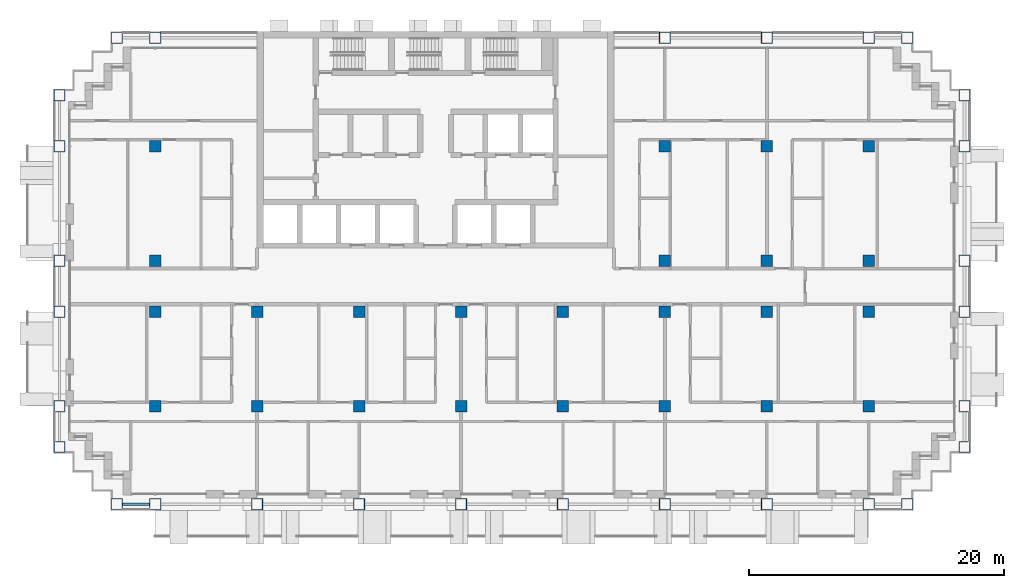
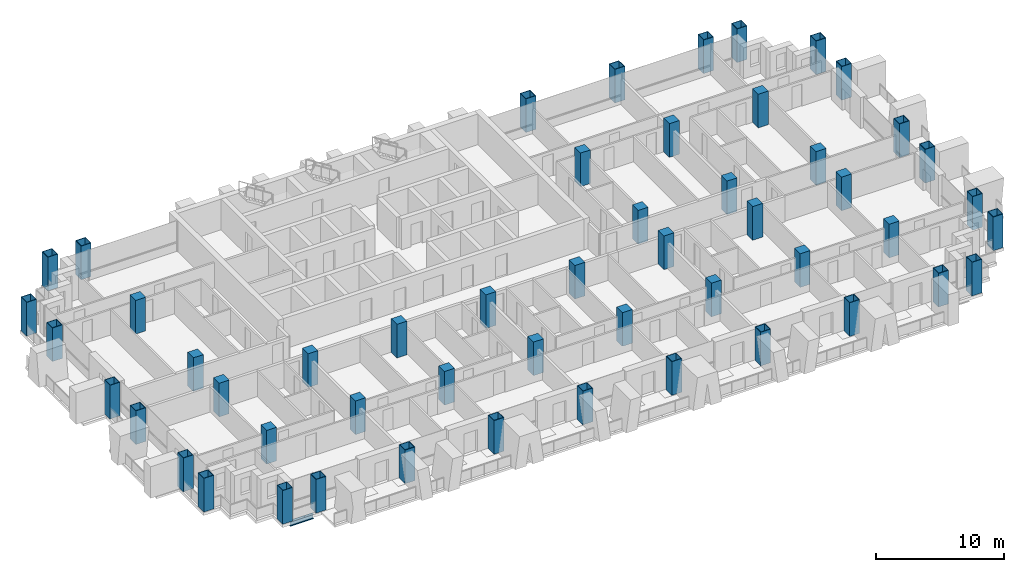
# One storey, part 1 of 17: 52 columns, 1 beam.
"""IFC4 building model written with IfcOpenShell, lengths in metres."""

from ifc_helpers import new_model, si_unit, direction, frame, origin, origin_2d, place, context, subcontext, project, spatial, rectangle, hollow_rectangle, i_section, extrude, material, material_profile, profile_set, type_object, element, save


model = new_model("IFC4")

# Units and contexts
model_context = context("Model", 3, precision=1e-05, world=origin(), true_north=direction((0.0, 1.0)))
body_context = subcontext(model_context, "Body", "Model", "MODEL_VIEW")
ifc_project = project(units=[si_unit("LENGTHUNIT", "METRE"), si_unit("AREAUNIT", "SQUARE_METRE"), si_unit("VOLUMEUNIT", "CUBIC_METRE"), si_unit("PLANEANGLEUNIT", "RADIAN"), si_unit("MASSUNIT", "GRAM", prefix="KILO")], contexts=[model_context])

# Site, building, storey
site_placement = place(None, origin())
site = spatial("IfcSite", under=ifc_project, at=site_placement, CompositionType="ELEMENT")
building_placement = place(site_placement, origin())
building = spatial("IfcBuilding", under=site, at=building_placement, Name="Vidyagriha Tower", CompositionType="ELEMENT")
storey_placement = place(building_placement, frame((0.0, 0.0, 87.10009765625)))
storey = spatial("IfcBuildingStorey", under=building, at=storey_placement, Name="L22", CompositionType="ELEMENT", Elevation=87.10009765625)

# Columns
ifc_material_1 = material(Name="Steel ASTM A572 Grade 50", Category="steel")
ifc_material_profile_1 = material_profile(ifc_material_1, hollow_rectangle(XDim=0.89990234375, YDim=0.89990234375, WallThickness=0.044921875, at=origin_2d()), Name="BOX 900x900x45")
ifc_profile_set_1 = profile_set([ifc_material_profile_1], Name="Steel ASTM A572 Grade 50")
column_type_1 = type_object("IfcColumnType", Name="Exoskeleton column BOX 900x900x45", PredefinedType="COLUMN", material=ifc_profile_set_1)
for number, where, name in (
    (1, (-25.0, -17.10009765625, 0.0), "st-col-L22-B2-001"),
    (2, (-22.0, -17.10009765625, 0.0), "st-col-L22-B2-002"),
    (3, (-14.0, -17.10009765625, 0.0), "st-col-L22-B2-003"),
    (4, (-6.0, -17.10009765625, 0.0), "st-col-L22-B2-004"),
    (5, (2.0, -17.10009765625, 0.0), "st-col-L22-B2-005"),
    (6, (10.0, -17.10009765625, 0.0), "st-col-L22-B2-006"),
    (7, (18.0, -17.10009765625, 0.0), "st-col-L22-B2-007"),
    (8, (26.0, -17.10009765625, 0.0), "st-col-L22-B2-008"),
    (9, (34.0, -17.10009765625, 0.0), "st-col-L22-B2-009"),
    (10, (37.0, -17.10009765625, 0.0), "st-col-L22-B2-010"),
    (11, (-29.5, -12.60009765625, 0.0), "st-col-L22-B2-011"),
    (12, (41.5, -12.60009765625, 0.0), "st-col-L22-B2-012"),
    (13, (-29.5, -9.39990234375, 0.0), "st-col-L22-B2-013"),
    (14, (41.5, -9.39990234375, 0.0), "st-col-L22-B2-022"),
    (15, (-29.5, -2.0, 0.0), "st-col-L22-B2-023"),
    (16, (41.5, -2.0, 0.0), "st-col-L22-B2-032"),
    (17, (-29.5, 2.0, 0.0), "st-col-L22-B2-033"),
    (18, (41.5, 2.0, 0.0), "st-col-L22-B2-038"),
    (19, (-29.5, 11.0, 0.0), "st-col-L22-B2-039"),
    (20, (41.5, 11.0, 0.0), "st-col-L22-B2-044"),
    (21, (-29.5, 15.0, 0.0), "st-col-L22-B2-045"),
    (22, (41.5, 15.0, 0.0), "st-col-L22-B2-046"),
    (23, (-25.0, 19.5, 0.0), "st-col-L22-B2-047"),
    (24, (-22.0, 19.5, 0.0), "st-col-L22-B2-048"),
    (25, (18.0, 19.5, 0.0), "st-col-L22-B2-049"),
    (26, (26.0, 19.5, 0.0), "st-col-L22-B2-050"),
    (27, (34.0, 19.5, 0.0), "st-col-L22-B2-051"),
    (28, (37.0, 19.5, 0.0), "st-col-L22-B2-052"),
):
    element("IfcColumn", number, at=place(storey_placement, frame(where)), inside=storey, type_object=column_type_1, Name=name, PredefinedType="COLUMN", context=body_context, shape_type="SweptSolid", body=[
        extrude(hollow_rectangle(XDim=0.89990234375, YDim=0.89990234375, WallThickness=0.044921875, at=origin_2d()), origin(), (0.0, 0.0, 1.0), 3.199951171875),
    ])
ifc_material_2 = material(Name="Concrete C80/95", Category="concrete")
ifc_material_profile_2 = material_profile(ifc_material_2, rectangle(XDim=0.89990234375, YDim=0.89990234375, at=origin_2d()), Name="RC 900x900")
ifc_profile_set_2 = profile_set([ifc_material_profile_2], Name="Concrete C80/95")
column_type_2 = type_object("IfcColumnType", Name="Frame column RC 900x900", PredefinedType="COLUMN", material=ifc_profile_set_2)
for number, where, name in (
    (29, (-22.0, -9.39990234375, 0.0), "st-col-L22-B2-014"),
    (30, (-14.0, -9.39990234375, 0.0), "st-col-L22-B2-015"),
    (31, (-6.0, -9.39990234375, 0.0), "st-col-L22-B2-016"),
    (32, (2.0, -9.39990234375, 0.0), "st-col-L22-B2-017"),
    (33, (10.0, -9.39990234375, 0.0), "st-col-L22-B2-018"),
    (34, (18.0, -9.39990234375, 0.0), "st-col-L22-B2-019"),
    (35, (26.0, -9.39990234375, 0.0), "st-col-L22-B2-020"),
    (36, (34.0, -9.39990234375, 0.0), "st-col-L22-B2-021"),
    (37, (-22.0, -2.0, 0.0), "st-col-L22-B2-024"),
    (38, (-14.0, -2.0, 0.0), "st-col-L22-B2-025"),
    (39, (-6.0, -2.0, 0.0), "st-col-L22-B2-026"),
    (40, (2.0, -2.0, 0.0), "st-col-L22-B2-027"),
    (41, (10.0, -2.0, 0.0), "st-col-L22-B2-028"),
    (42, (18.0, -2.0, 0.0), "st-col-L22-B2-029"),
    (43, (26.0, -2.0, 0.0), "st-col-L22-B2-030"),
    (44, (34.0, -2.0, 0.0), "st-col-L22-B2-031"),
    (45, (-22.0, 2.0, 0.0), "st-col-L22-B2-034"),
    (46, (18.0, 2.0, 0.0), "st-col-L22-B2-035"),
    (47, (26.0, 2.0, 0.0), "st-col-L22-B2-036"),
    (48, (34.0, 2.0, 0.0), "st-col-L22-B2-037"),
    (49, (-22.0, 11.0, 0.0), "st-col-L22-B2-040"),
    (50, (18.0, 11.0, 0.0), "st-col-L22-B2-041"),
    (51, (26.0, 11.0, 0.0), "st-col-L22-B2-042"),
    (52, (34.0, 11.0, 0.0), "st-col-L22-B2-043"),
):
    element("IfcColumn", number, at=place(storey_placement, frame(where)), inside=storey, type_object=column_type_2, Name=name, PredefinedType="COLUMN", context=body_context, shape_type="SweptSolid", body=[
        extrude(rectangle(XDim=0.89990234375, YDim=0.89990234375, at=origin_2d()), origin(), (0.0, 0.0, 1.0), 3.199951171875),
    ])

# Beam
ifc_material_3 = material(Name="Steel ASTM A992 Grade 50", Category="steel")
ifc_material_profile_3 = material_profile(ifc_material_3, i_section(OverallWidth=0.19189453125, OverallDepth=0.46240234375, WebThickness=0.010498046875, FlangeThickness=0.017578125, at=origin_2d()), Name="W18X60")
ifc_profile_set_3 = profile_set([ifc_material_profile_3], Name="Steel ASTM A992 Grade 50")
beam_type = type_object("IfcBeamType", Name="Edge beam W18X60", PredefinedType="SPANDREL", material=ifc_profile_set_3)
beam_placement = place(storey_placement, frame((-24.550048828125, -17.10009765625, -0.51123046875), z_axis=(1.0, 0.0, 0.0), x_axis=(0.0, 1.0, 0.0)))
element("IfcBeam", 53, at=beam_placement, inside=storey, type_object=beam_type, Name="st-beam-L22-S01", PredefinedType="SPANDREL", context=body_context, shape_type="SweptSolid", body=[
    extrude(i_section(OverallWidth=0.19189453125, OverallDepth=0.46240234375, WebThickness=0.010498046875, FlangeThickness=0.017578125, at=origin_2d()), origin(), (0.0, 0.0, 1.0), 2.10009765625),
])

save(model, "model.ifc")
